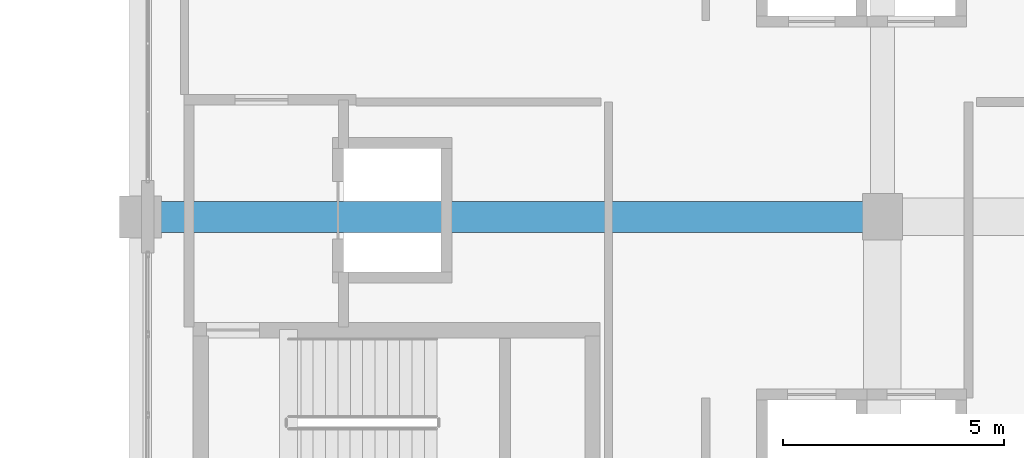
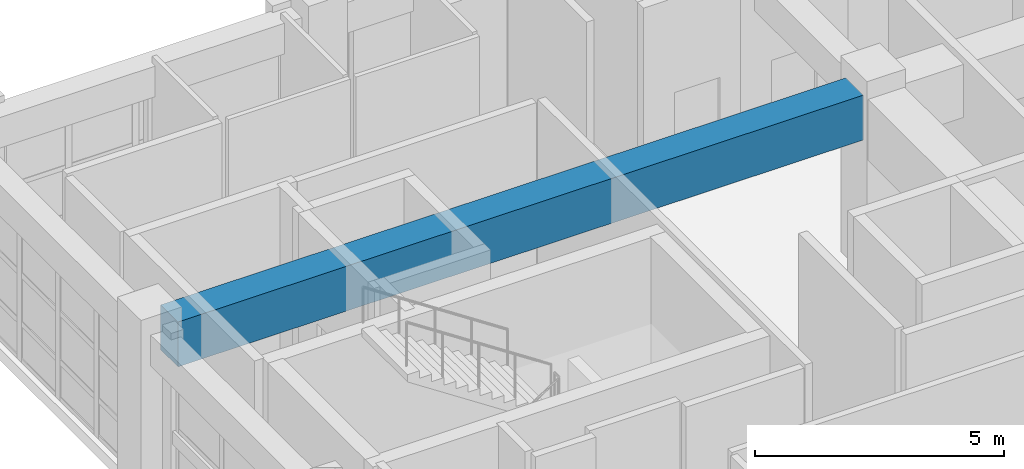
# One storey, part 44 of 123: 1 beam.
"""IFC4 building model written with IfcOpenShell, lengths in metres."""

import ifcopenshell
import ifcopenshell.guid

model = None  # the IFC model being written
_history = None  # IfcOwnerHistory: only IFC2X3 demands one
_inside = {}  # id of a spatial element -> (the spatial element, [elements in it])
_under = {}  # id of a project, library or spatial element -> (it, [spatial elements below it])
_declared = {}  # id of a project -> (the project, [libraries it declares])
_typed = {}  # id of a type object -> (the type object, [elements of that type])
_made_of = {}  # id of a material, layer set ... -> (it, [elements and type objects made of it])


def new_model(schema):
    """Start an empty IFC model of exactly this schema.

    Asked for "IFC4X3", IfcOpenShell would pick the latest addendum, in which some entities
    have other attributes; the version numbers below select the first issue.
    IFC2X3 requires an IfcOwnerHistory on every rooted entity: one is made here for all.
    """
    global model, _history
    if schema == "IFC4X3":
        model = ifcopenshell.file(schema_version=(4, 3, 0, 0))
    else:
        model = ifcopenshell.file(schema=schema)
    _inside.clear()
    _under.clear()
    _declared.clear()
    _typed.clear()
    _made_of.clear()
    _history = None
    if model.schema == "IFC2X3":
        org = make("IfcOrganization", Name="unknown")
        user = make(
            "IfcPersonAndOrganization",
            ThePerson=make("IfcPerson", FamilyName="unknown"),
            TheOrganization=org,
        )
        app = make(
            "IfcApplication",
            ApplicationDeveloper=org,
            Version="unknown",
            ApplicationFullName="unknown",
            ApplicationIdentifier="unknown",
        )
        _history = make(
            "IfcOwnerHistory",
            OwningUser=user,
            OwningApplication=app,
            ChangeAction="ADDED",
            CreationDate=0,
        )
    return model


def make(cls, **values):
    """One entity of the class cls with the attributes given. An attribute that is None is left unset."""
    return model.create_entity(
        cls, **{name: value for name, value in values.items() if value is not None}
    )


def rooted(cls, **values):
    """An entity with a GlobalId (a new one), such as an element, a storey or a relation."""
    return make(cls, GlobalId=ifcopenshell.guid.new(), OwnerHistory=_history, **values)


def si_unit(unit_type, name, prefix=None):
    """IfcSIUnit, for example si_unit("LENGTHUNIT", "METRE", prefix="MILLI")."""
    return make("IfcSIUnit", UnitType=unit_type, Prefix=prefix, Name=name)


def assignment(units):
    """IfcUnitAssignment: the units of a project."""
    return None if units is None else make("IfcUnitAssignment", Units=units)


def point(xyz):
    """IfcCartesianPoint."""
    return None if xyz is None else make("IfcCartesianPoint", Coordinates=xyz)


def direction(xyz):
    """IfcDirection."""
    return None if xyz is None else make("IfcDirection", DirectionRatios=xyz)


def frame(location, z_axis=None, x_axis=None):
    """IfcAxis2Placement3D, a coordinate frame: its origin and axes. An axis left out is left unset."""
    return make(
        "IfcAxis2Placement3D",
        Location=point(location),
        Axis=direction(z_axis),
        RefDirection=direction(x_axis),
    )


def frame_2d(location, x_axis=None):
    """IfcAxis2Placement2D, a coordinate frame in the plane: its origin and x axis."""
    return make(
        "IfcAxis2Placement2D", Location=point(location), RefDirection=direction(x_axis)
    )


def origin():
    """The frame at (0, 0, 0) with its axes left unset."""
    return frame((0.0, 0.0, 0.0))


def origin_2d():
    """The frame at (0, 0) in the plane with its x axis left unset."""
    return frame_2d((0.0, 0.0))


def place(relative_to, where):
    """IfcLocalPlacement: puts the frame where relative to a parent placement (None: the world)."""
    return make(
        "IfcLocalPlacement", PlacementRelTo=relative_to, RelativePlacement=where
    )


def context(
    kind, dimensions, precision=None, world=None, true_north=None, identifier=None
):
    """IfcGeometricRepresentationContext, for example the 3D "Model" context."""
    return make(
        "IfcGeometricRepresentationContext",
        ContextIdentifier=identifier,
        ContextType=kind,
        CoordinateSpaceDimension=dimensions,
        Precision=precision,
        WorldCoordinateSystem=world,
        TrueNorth=true_north,
    )


def subcontext(parent, identifier, kind, view, scale=None):
    """IfcGeometricRepresentationSubContext, for example "Body" below "Model"."""
    return make(
        "IfcGeometricRepresentationSubContext",
        ContextIdentifier=identifier,
        ContextType=kind,
        ParentContext=parent,
        TargetScale=scale,
        TargetView=view,
    )


def project(units=None, contexts=None):
    """IfcProject with its units and contexts."""
    return rooted(
        "IfcProject",
        Name="project",
        RepresentationContexts=contexts,
        UnitsInContext=assignment(units),
    )


def spatial(cls, under=None, at=None, **own):
    """A site, building, storey or space (cls), placed at a placement, below another one or the project."""
    s = rooted(cls, ObjectPlacement=at, **own)
    if under is not None:
        _under.setdefault(under.id(), (under, []))[1].append(s)
    return s


def profile(cls, at=None, kind="AREA", **sizes):
    """A parametric profile (cls). Its sizes go by their IFC names, for example OverallWidth=200.0."""
    return make(cls, ProfileType=kind, Position=at, **sizes)


def rectangle(**sizes):
    """IfcRectangleProfileDef."""
    return profile("IfcRectangleProfileDef", **sizes)


def extrude(swept, where, along, depth):
    """IfcExtrudedAreaSolid: the profile swept, set in the frame where, extruded along a direction by depth."""
    return make(
        "IfcExtrudedAreaSolid",
        SweptArea=swept,
        Position=where,
        ExtrudedDirection=direction(along),
        Depth=depth,
    )


def shape(context_of_items, identifier, shape_type, items):
    """IfcShapeRepresentation: the items that make up one representation, for example the "Body"."""
    return make(
        "IfcShapeRepresentation",
        ContextOfItems=context_of_items,
        RepresentationIdentifier=identifier,
        RepresentationType=shape_type,
        Items=items,
    )


def material(Name=None, Category=None):
    """IfcMaterial."""
    return make("IfcMaterial", Name=Name, Category=Category)


def material_profile(
    of_material, cross_section, Name=None, Category=None, Priority=None
):
    """IfcMaterialProfile: a cross section and its material."""
    return make(
        "IfcMaterialProfile",
        Name=Name,
        Material=of_material,
        Profile=cross_section,
        Priority=Priority,
        Category=Category,
    )


def profile_set(profiles, Name=None, composite=None):
    """IfcMaterialProfileSet."""
    return make(
        "IfcMaterialProfileSet",
        Name=Name,
        MaterialProfiles=profiles,
        CompositeProfile=composite,
    )


def made_of(thing, what):
    """Note that an element or type object is made of a material, layer set ...; save() writes the relation."""
    if what is not None:
        _made_of.setdefault(what.id(), (what, []))[1].append(thing)
    return thing


def type_object(cls, material=None, **own):
    """A type object (cls), such as IfcWallType, which elements share."""
    return made_of(rooted(cls, **own), material)


def element(
    cls,
    number,
    at=None,
    inside=None,
    cuts=None,
    type_object=None,
    material=None,
    context=None,
    identifier="Body",
    shape_type=None,
    held_by="IfcProductDefinitionShape",
    body=None,
    shapes=None,
    **own,
):
    """One element of the class cls, such as IfcWall. Its Tag is "e" and its number.

    at: its placement. inside: the storey or other place that contains it. cuts: it is an
    opening in that element (IfcRelVoidsElement). A single representation is given by context,
    identifier, shape_type and body (its items); several are given by shapes. held_by: the class
    of the entity that holds the representations. save() writes the other relations.
    """
    e = rooted(cls, Tag="e%d" % number, ObjectPlacement=at, **own)
    if body is not None:
        shapes = [shape(context, identifier, shape_type, body)]
    if shapes is not None:
        e.Representation = make(held_by, Representations=shapes)
    if inside is not None:
        _inside.setdefault(inside.id(), (inside, []))[1].append(e)
    if cuts is not None:
        rooted(
            "IfcRelVoidsElement", RelatingBuildingElement=cuts, RelatedOpeningElement=e
        )
    if type_object is not None:
        _typed.setdefault(type_object.id(), (type_object, []))[1].append(e)
    return made_of(e, material)


def aggregate(whole, parts):
    """IfcRelAggregates: a whole, such as a stair, and the parts it consists of."""
    return rooted("IfcRelAggregates", RelatingObject=whole, RelatedObjects=parts)


def save(model, path):
    """Write the relations noted so far, then the file.

    IfcRelAggregates (storeys below a building ...), IfcRelContainedInSpatialStructure (elements
    in a storey), IfcRelDefinesByType, IfcRelAssociatesMaterial and IfcRelDeclares: one each for
    every whole, place, type object, material and project.
    """
    for whole, parts in _under.values():
        aggregate(whole, parts)
    for where, things in _inside.values():
        rooted(
            "IfcRelContainedInSpatialStructure",
            RelatedElements=things,
            RelatingStructure=where,
        )
    for kind, things in _typed.values():
        rooted("IfcRelDefinesByType", RelatedObjects=things, RelatingType=kind)
    for what, things in _made_of.values():
        rooted("IfcRelAssociatesMaterial", RelatedObjects=things, RelatingMaterial=what)
    for by, libraries in _declared.values():
        rooted("IfcRelDeclares", RelatingContext=by, RelatedDefinitions=libraries)
    model.write(path)


model = new_model("IFC4")

# Units and contexts
model_context = context("Model", 3, precision=1e-05, world=origin(), true_north=direction((0.0, 1.0)))
body_context = subcontext(model_context, "Body", "Model", "MODEL_VIEW")
ifc_project = project(units=[si_unit("LENGTHUNIT", "METRE"), si_unit("AREAUNIT", "SQUARE_METRE"), si_unit("VOLUMEUNIT", "CUBIC_METRE"), si_unit("PLANEANGLEUNIT", "RADIAN"), si_unit("MASSUNIT", "GRAM", prefix="KILO")], contexts=[model_context])

# Site, building, storey
site_placement = place(None, origin())
site = spatial("IfcSite", under=ifc_project, at=site_placement, CompositionType="ELEMENT")
building_placement = place(site_placement, origin())
building = spatial("IfcBuilding", under=site, at=building_placement, Name="Quendrovan Civic Courthouse", CompositionType="ELEMENT")
storey_placement = place(building_placement, frame((0.0, 0.0, 5.39990234375)))
storey = spatial("IfcBuildingStorey", under=building, at=storey_placement, Name="L02", CompositionType="ELEMENT", Elevation=5.39990234375)

# Beam
ifc_material = material(Name="Post-tensioned concrete C50/60", Category="concrete")
ifc_material_profile = material_profile(ifc_material, rectangle(XDim=0.699951171875, YDim=1.10009765625, at=origin_2d()), Name="PT-GIRD-700x1100")
ifc_profile_set = profile_set([ifc_material_profile], Name="Post-tensioned concrete C50/60")
beam_type = type_object("IfcBeamType", Name="BM-PT1100", PredefinedType="BEAM", material=ifc_profile_set)
beam_placement = place(storey_placement, frame((34.054931640625, 102.0, 3.81005859375), z_axis=(1.0, 0.0, 0.0), x_axis=(0.0, 1.0, 0.0)))
element("IfcBeam", 1, at=beam_placement, inside=storey, type_object=beam_type, Name="L02 Girder X0576", PredefinedType="BEAM", context=body_context, shape_type="SweptSolid", body=[
    extrude(rectangle(XDim=0.699951171875, YDim=1.10009765625, at=origin_2d()), origin(), (0.0, 0.0, 1.0), 15.9150390625),
])

save(model, "model.ifc")
